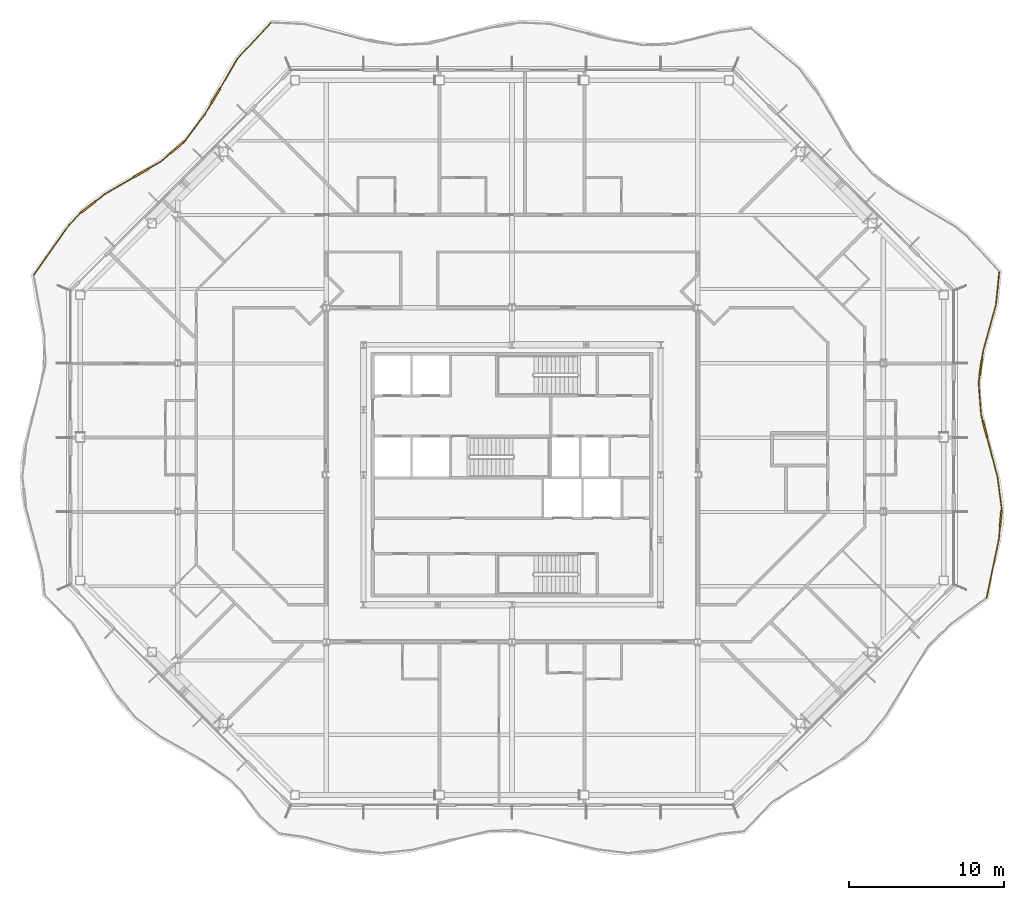
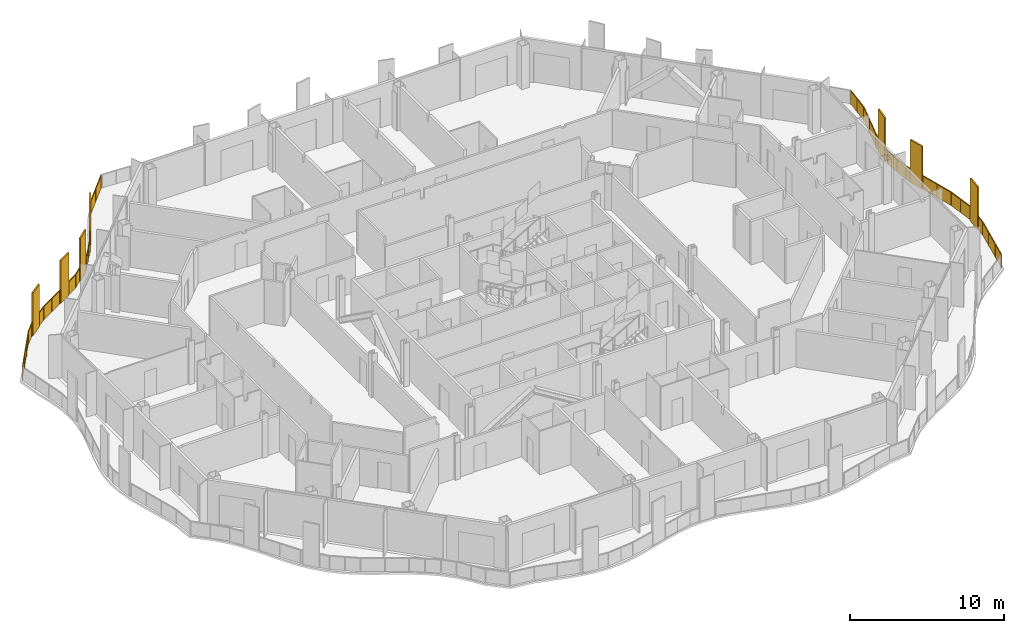
# One storey, part 19 of 21: 2 railings.
"""IFC4 building model written with IfcOpenShell, lengths in metres."""

from ifc_helpers import new_model, si_unit, direction, frame, origin, origin_2d, place, context, subcontext, project, spatial, polyline, rectangle, outline, extrude, material, type_object, element, save


model = new_model("IFC4")

# Units and contexts
model_context = context("Model", 3, precision=1e-05, world=origin(), true_north=direction((0.0, 1.0)))
body_context = subcontext(model_context, "Body", "Model", "MODEL_VIEW")
ifc_project = project(units=[si_unit("LENGTHUNIT", "METRE"), si_unit("AREAUNIT", "SQUARE_METRE"), si_unit("VOLUMEUNIT", "CUBIC_METRE"), si_unit("PLANEANGLEUNIT", "RADIAN"), si_unit("MASSUNIT", "GRAM", prefix="KILO")], contexts=[model_context])

# Site, building, storey
site_placement = place(None, origin())
site = spatial("IfcSite", under=ifc_project, at=site_placement, CompositionType="ELEMENT")
building_placement = place(site_placement, origin())
building = spatial("IfcBuilding", under=site, at=building_placement, Name="Cairn Pilgrim Tower", CompositionType="ELEMENT")
storey_placement = place(building_placement, frame((0.0, 0.0, 157.800048828125)))
storey = spatial("IfcBuildingStorey", under=building, at=storey_placement, Name="L39", CompositionType="ELEMENT", Elevation=157.800048828125)

# Railings
ifc_material = material(Name="Bronze anodised aluminium rail, posts and fin screens with laminated glass infill", Category="aluminium")
railing_type = type_object("IfcRailingType", Name="BALCONY GUARD WITH FIN SCREENS", PredefinedType="GUARDRAIL", material=ifc_material)
railing_1_placement = place(storey_placement, frame((37.873291015625, -5.544921875, 0.0)))
element("IfcRailing", 1, at=railing_1_placement, inside=storey, type_object=railing_type, Name="Balcony guard BGF-3 with fin screens", PredefinedType="GUARDRAIL", context=body_context, shape_type="SweptSolid", body=[
    extrude(rectangle(XDim=0.050048828125, YDim=0.050048828125, at=origin_2d()), frame((0.0, 0.0, 1.0751953125), z_axis=(0.205493739415, 0.97865843023, 0.0), x_axis=(-0.97865843023, 0.205493739415, 0.0)), (0.0, 0.0, 1.0), 3.88134765625),
    extrude(rectangle(XDim=1.10009765625, YDim=0.110107421875, at=origin_2d()), frame((0.911865234375, 5.096923828125, 0.0), z_axis=(0.0, 0.0, 1.0), x_axis=(0.087623499441, 0.996153664023, 0.0)), (0.0, 0.0, 1.0), 3.39990234375),
    extrude(rectangle(XDim=0.050048828125, YDim=0.050048828125, at=origin_2d()), frame((0.797607421875, 3.798583984375, 1.0751953125), z_axis=(0.087623499441, 0.996153664023, 0.0), x_axis=(-0.996153664023, 0.087623499441, 0.0)), (0.0, 0.0, 1.0), 0.75341796875),
    extrude(rectangle(XDim=0.050048828125, YDim=0.050048828125, at=origin_2d()), frame((0.9599609375, 5.644775390625, 1.0751953125), z_axis=(0.087623499441, 0.996153664023, 0.0), x_axis=(-0.996153664023, 0.087623499441, 0.0)), (0.0, 0.0, 1.0), 0.14990234375),
    extrude(rectangle(XDim=0.050048828125, YDim=0.050048828125, at=origin_2d()), frame((0.97314453125, 5.794189453125, 1.0751953125), z_axis=(-0.131837988282, 0.991271277121, 0.0), x_axis=(-0.991271277121, -0.131837988282, 0.0)), (0.0, 0.0, 1.0), 2.012939453125),
    extrude(rectangle(XDim=1.10009765625, YDim=0.110107421875, at=origin_2d()), frame((-0.104736328125, 10.876220703125, 0.0), z_axis=(0.0, 0.0, 1.0), x_axis=(-0.254545002151, 0.967060929766, 0.0)), (0.0, 0.0, 1.0), 3.39990234375),
    extrude(rectangle(XDim=0.050048828125, YDim=0.050048828125, at=origin_2d()), frame((0.707763671875, 7.78955078125, 1.0751953125), z_axis=(-0.254545002151, 0.967060929766, 0.0), x_axis=(-0.967060929766, -0.254545002151, 0.0)), (0.0, 0.0, 1.0), 2.641845703125),
    extrude(rectangle(XDim=0.050048828125, YDim=0.050048828125, at=origin_2d()), frame((-0.24462890625, 11.408203125, 1.0751953125), z_axis=(-0.254545002151, 0.967060929766, 0.0), x_axis=(-0.967060929766, -0.254545002151, 0.0)), (0.0, 0.0, 1.0), 0.44189453125),
    extrude(rectangle(XDim=0.050048828125, YDim=0.050048828125, at=origin_2d()), frame((-0.357177734375, 11.83544921875, 1.0751953125), z_axis=(-0.078556623084, 0.996909653364, 0.0), x_axis=(-0.996909653364, -0.078556623084, 0.0)), (0.0, 0.0, 1.0), 2.057373046875),
    extrude(rectangle(XDim=1.10009765625, YDim=0.110107421875, at=origin_2d()), frame((-0.375732421875, 14.89794921875, 0.0), z_axis=(0.0, 0.0, 1.0), x_axis=(0.139949661778, 0.990158619701, 0.0)), (0.0, 0.0, 1.0), 3.39990234375),
    extrude(rectangle(XDim=0.050048828125, YDim=0.050048828125, at=origin_2d()), frame((-0.518798828125, 13.886474609375, 1.0751953125), z_axis=(0.139949661778, 0.990158619701, 0.0), x_axis=(-0.990158619701, 0.139949661778, 0.0)), (0.0, 0.0, 1.0), 0.4716796875),
    extrude(rectangle(XDim=0.050048828125, YDim=0.050048828125, at=origin_2d()), frame((-0.298828125, 15.442626953125, 1.0751953125), z_axis=(0.139949661778, 0.990158619701, 0.0), x_axis=(-0.990158619701, 0.139949661778, 0.0)), (0.0, 0.0, 1.0), 0.49560546875),
    extrude(rectangle(XDim=0.050048828125, YDim=0.050048828125, at=origin_2d()), frame((-0.2294921875, 15.933349609375, 1.0751953125), z_axis=(0.266842452567, 0.963740164934, 0.0), x_axis=(-0.963740164934, 0.266842452567, 0.0)), (0.0, 0.0, 1.0), 3.142822265625),
    extrude(rectangle(XDim=0.050048828125, YDim=0.050048828125, at=origin_2d()), frame((0.609130859375, 18.962158203125, 1.0751953125), z_axis=(0.100031140901, 0.994984306836, 0.0), x_axis=(-0.994984306836, 0.100031140901, 0.0)), (0.0, 0.0, 1.0), 2.062255859375),
    extrude(rectangle(XDim=0.050048828125, YDim=0.050048828125, at=origin_2d()), origin(), (0.0, 0.0, 1.0), 1.050048828125),
    extrude(rectangle(XDim=0.050048828125, YDim=0.050048828125, at=origin_2d()), frame((0.265869140625, 1.26611328125, 0.0)), (0.0, 0.0, 1.0), 1.050048828125),
    extrude(rectangle(XDim=0.050048828125, YDim=0.050048828125, at=origin_2d()), frame((0.53173828125, 2.532470703125, 0.0)), (0.0, 0.0, 1.0), 1.050048828125),
    extrude(rectangle(XDim=0.050048828125, YDim=0.050048828125, at=origin_2d()), frame((0.797607421875, 3.798583984375, 0.0)), (0.0, 0.0, 1.0), 1.050048828125),
    extrude(rectangle(XDim=0.050048828125, YDim=0.050048828125, at=origin_2d()), frame((0.861328125, 4.524169921875, 0.0)), (0.0, 0.0, 1.0), 1.050048828125),
    extrude(rectangle(XDim=0.050048828125, YDim=0.050048828125, at=origin_2d()), frame((0.962158203125, 5.669677734375, 0.0)), (0.0, 0.0, 1.0), 1.050048828125),
    extrude(rectangle(XDim=0.050048828125, YDim=0.050048828125, at=origin_2d()), frame((0.97314453125, 5.794189453125, 0.0)), (0.0, 0.0, 1.0), 1.050048828125),
    extrude(rectangle(XDim=0.050048828125, YDim=0.050048828125, at=origin_2d()), frame((0.84033203125, 6.7919921875, 0.0)), (0.0, 0.0, 1.0), 1.050048828125),
    extrude(rectangle(XDim=0.050048828125, YDim=0.050048828125, at=origin_2d()), frame((0.707763671875, 7.78955078125, 0.0)), (0.0, 0.0, 1.0), 1.050048828125),
    extrude(rectangle(XDim=0.050048828125, YDim=0.050048828125, at=origin_2d()), frame((0.374755859375, 9.054931640625, 0.0)), (0.0, 0.0, 1.0), 1.050048828125),
    extrude(rectangle(XDim=0.050048828125, YDim=0.050048828125, at=origin_2d()), frame((0.041748046875, 10.320068359375, 0.0)), (0.0, 0.0, 1.0), 1.050048828125),
    extrude(rectangle(XDim=0.050048828125, YDim=0.050048828125, at=origin_2d()), frame((-0.2509765625, 11.432373046875, 0.0)), (0.0, 0.0, 1.0), 1.050048828125),
    extrude(rectangle(XDim=0.050048828125, YDim=0.050048828125, at=origin_2d()), frame((-0.357177734375, 11.83544921875, 0.0)), (0.0, 0.0, 1.0), 1.050048828125),
    extrude(rectangle(XDim=0.050048828125, YDim=0.050048828125, at=origin_2d()), frame((-0.43798828125, 12.86083984375, 0.0)), (0.0, 0.0, 1.0), 1.050048828125),
    extrude(rectangle(XDim=0.050048828125, YDim=0.050048828125, at=origin_2d()), frame((-0.518798828125, 13.886474609375, 0.0)), (0.0, 0.0, 1.0), 1.050048828125),
    extrude(rectangle(XDim=0.050048828125, YDim=0.050048828125, at=origin_2d()), frame((-0.456298828125, 14.32861328125, 0.0)), (0.0, 0.0, 1.0), 1.050048828125),
    extrude(rectangle(XDim=0.050048828125, YDim=0.050048828125, at=origin_2d()), frame((-0.29541015625, 15.467529296875, 0.0)), (0.0, 0.0, 1.0), 1.050048828125),
    extrude(rectangle(XDim=0.050048828125, YDim=0.050048828125, at=origin_2d()), frame((-0.2294921875, 15.933349609375, 0.0)), (0.0, 0.0, 1.0), 1.050048828125),
    extrude(rectangle(XDim=0.050048828125, YDim=0.050048828125, at=origin_2d()), frame((0.18994140625, 17.44775390625, 0.0)), (0.0, 0.0, 1.0), 1.050048828125),
    extrude(rectangle(XDim=0.050048828125, YDim=0.050048828125, at=origin_2d()), frame((0.609130859375, 18.962158203125, 0.0)), (0.0, 0.0, 1.0), 1.050048828125),
    extrude(rectangle(XDim=0.050048828125, YDim=0.050048828125, at=origin_2d()), frame((0.71240234375, 19.98828125, 0.0)), (0.0, 0.0, 1.0), 1.050048828125),
    extrude(rectangle(XDim=0.050048828125, YDim=0.050048828125, at=origin_2d()), frame((0.8154296875, 21.01416015625, 0.0)), (0.0, 0.0, 1.0), 1.050048828125),
    extrude(outline(polyline([(0.02490234375, 0.0), (1.268798828125, 0.0), (1.268798828125, 1.050048828125), (0.02490234375, 1.050048828125), (0.02490234375, 0.0)])), frame((-0.005859375, 0.001220703125, 0.0), z_axis=(0.97865843023, -0.205493739415, 0.0), x_axis=(0.205493739415, 0.97865843023, 0.0)), (0.0, 0.0, 1.0), 0.011962890625),
    extrude(outline(polyline([(0.02490234375, 0.0), (1.268798828125, 0.0), (1.268798828125, 1.050048828125), (0.02490234375, 1.050048828125), (0.02490234375, 0.0)])), frame((0.260009765625, 1.267333984375, 0.0), z_axis=(0.97865843023, -0.205493739415, 0.0), x_axis=(0.205493739415, 0.97865843023, 0.0)), (0.0, 0.0, 1.0), 0.011962890625),
    extrude(outline(polyline([(0.02490234375, 0.0), (1.268798828125, 0.0), (1.268798828125, 1.050048828125), (0.02490234375, 1.050048828125), (0.02490234375, 0.0)])), frame((0.52587890625, 2.53369140625, 0.0), z_axis=(0.97865843023, -0.205493739415, 0.0), x_axis=(0.205493739415, 0.97865843023, 0.0)), (0.0, 0.0, 1.0), 0.011962890625),
    extrude(outline(polyline([(0.02490234375, 0.0), (0.703369140625, 0.0), (0.703369140625, 1.050048828125), (0.02490234375, 1.050048828125), (0.02490234375, 0.0)])), frame((0.791748046875, 3.799072265625, 0.0), z_axis=(0.996153664023, -0.087623499441, 0.0), x_axis=(0.087623499441, 0.996153664023, 0.0)), (0.0, 0.0, 1.0), 0.011962890625),
    extrude(outline(polyline([(0.02490234375, 0.0), (0.099853515625, 0.0), (0.099853515625, 1.050048828125), (0.02490234375, 1.050048828125), (0.02490234375, 0.0)])), frame((0.956298828125, 5.670166015625, 0.0), z_axis=(0.996153664023, -0.087623499441, 0.0), x_axis=(0.087623499441, 0.996153664023, 0.0)), (0.0, 0.0, 1.0), 0.011962890625),
    extrude(outline(polyline([(0.02490234375, 0.0), (0.9814453125, 0.0), (0.9814453125, 1.050048828125), (0.02490234375, 1.050048828125), (0.02490234375, 0.0)])), frame((0.96728515625, 5.79345703125, 0.0), z_axis=(0.991271277121, 0.131837988282, 0.0), x_axis=(-0.131837988282, 0.991271277121, 0.0)), (0.0, 0.0, 1.0), 0.011962890625),
    extrude(outline(polyline([(0.02490234375, 0.0), (0.9814453125, 0.0), (0.9814453125, 1.050048828125), (0.02490234375, 1.050048828125), (0.02490234375, 0.0)])), frame((0.83447265625, 6.791015625, 0.0), z_axis=(0.991271277121, 0.131837988282, 0.0), x_axis=(-0.131837988282, 0.991271277121, 0.0)), (0.0, 0.0, 1.0), 0.011962890625),
    extrude(outline(polyline([(0.02490234375, 0.0), (1.283447265625, 0.0), (1.283447265625, 1.050048828125), (0.02490234375, 1.050048828125), (0.02490234375, 0.0)])), frame((0.701904296875, 7.7880859375, 0.0), z_axis=(0.967060929766, 0.254545002151, 0.0), x_axis=(-0.254545002151, 0.967060929766, 0.0)), (0.0, 0.0, 1.0), 0.011962890625),
    extrude(outline(polyline([(0.02490234375, 0.0), (1.283447265625, 0.0), (1.283447265625, 1.050048828125), (0.02490234375, 1.050048828125), (0.02490234375, 0.0)])), frame((0.368896484375, 9.05322265625, 0.0), z_axis=(0.967060929766, 0.254545002151, 0.0), x_axis=(-0.254545002151, 0.967060929766, 0.0)), (0.0, 0.0, 1.0), 0.011962890625),
    extrude(outline(polyline([(0.02490234375, 0.0), (0.391845703125, 0.0), (0.391845703125, 1.050048828125), (0.02490234375, 1.050048828125), (0.02490234375, 0.0)])), frame((-0.2568359375, 11.430908203125, 0.0), z_axis=(0.967060929766, 0.254545002151, 0.0), x_axis=(-0.254545002151, 0.967060929766, 0.0)), (0.0, 0.0, 1.0), 0.011962890625),
    extrude(outline(polyline([(0.02490234375, 0.0), (1.003662109375, 0.0), (1.003662109375, 1.050048828125), (0.02490234375, 1.050048828125), (0.02490234375, 0.0)])), frame((-0.363037109375, 11.8349609375, 0.0), z_axis=(0.996909653364, 0.078556623084, 0.0), x_axis=(-0.078556623084, 0.996909653364, 0.0)), (0.0, 0.0, 1.0), 0.011962890625),
    extrude(outline(polyline([(0.02490234375, 0.0), (1.003662109375, 0.0), (1.003662109375, 1.050048828125), (0.02490234375, 1.050048828125), (0.02490234375, 0.0)])), frame((-0.44384765625, 12.860595703125, 0.0), z_axis=(0.996909653364, 0.078556623084, 0.0), x_axis=(-0.078556623084, 0.996909653364, 0.0)), (0.0, 0.0, 1.0), 0.011962890625),
    extrude(outline(polyline([(0.02490234375, 0.0), (0.421630859375, 0.0), (0.421630859375, 1.050048828125), (0.02490234375, 1.050048828125), (0.02490234375, 0.0)])), frame((-0.524658203125, 13.88720703125, 0.0), z_axis=(0.990158619701, -0.139949661778, 0.0), x_axis=(0.139949661778, 0.990158619701, 0.0)), (0.0, 0.0, 1.0), 0.011962890625),
    extrude(outline(polyline([(0.02490234375, 0.0), (0.445556640625, 0.0), (0.445556640625, 1.050048828125), (0.02490234375, 1.050048828125), (0.02490234375, 0.0)])), frame((-0.30126953125, 15.46826171875, 0.0), z_axis=(0.990158619701, -0.139949661778, 0.0), x_axis=(0.139949661778, 0.990158619701, 0.0)), (0.0, 0.0, 1.0), 0.011962890625),
    extrude(outline(polyline([(0.02490234375, 0.0), (1.54638671875, 0.0), (1.54638671875, 1.050048828125), (0.02490234375, 1.050048828125), (0.02490234375, 0.0)])), frame((-0.2353515625, 15.93505859375, 0.0), z_axis=(0.963740164934, -0.266842452567, 0.0), x_axis=(0.266842452567, 0.963740164934, 0.0)), (0.0, 0.0, 1.0), 0.011962890625),
    extrude(outline(polyline([(0.02490234375, 0.0), (1.54638671875, 0.0), (1.54638671875, 1.050048828125), (0.02490234375, 1.050048828125), (0.02490234375, 0.0)])), frame((0.18408203125, 17.449462890625, 0.0), z_axis=(0.963740164934, -0.266842452567, 0.0), x_axis=(0.266842452567, 0.963740164934, 0.0)), (0.0, 0.0, 1.0), 0.011962890625),
    extrude(outline(polyline([(0.02490234375, 0.0), (1.006103515625, 0.0), (1.006103515625, 1.050048828125), (0.02490234375, 1.050048828125), (0.02490234375, 0.0)])), frame((0.603271484375, 18.962646484375, 0.0), z_axis=(0.994984306836, -0.100031140901, 0.0), x_axis=(0.100031140901, 0.994984306836, 0.0)), (0.0, 0.0, 1.0), 0.011962890625),
    extrude(outline(polyline([(0.02490234375, 0.0), (1.006103515625, 0.0), (1.006103515625, 1.050048828125), (0.02490234375, 1.050048828125), (0.02490234375, 0.0)])), frame((0.706298828125, 19.98876953125, 0.0), z_axis=(0.994984306836, -0.100031140901, 0.0), x_axis=(0.100031140901, 0.994984306836, 0.0)), (0.0, 0.0, 1.0), 0.011962890625),
])
railing_2_placement = place(storey_placement, frame((-8.374755859375, 31.634033203125, 0.0)))
element("IfcRailing", 2, at=railing_2_placement, inside=storey, type_object=railing_type, Name="Balcony guard BGF-6 with fin screens", PredefinedType="GUARDRAIL", context=body_context, shape_type="SweptSolid", body=[
    extrude(rectangle(XDim=0.050048828125, YDim=0.050048828125, at=origin_2d()), frame((0.0, 0.0, 1.0751953125), z_axis=(-0.67969336953, -0.733496369055, 0.0), x_axis=(0.733496369055, -0.67969336953, 0.0)), (0.0, 0.0, 1.0), 3.18994140625),
    extrude(rectangle(XDim=1.10009765625, YDim=0.110107421875, at=origin_2d()), frame((-3.584228515625, -4.75537109375, 0.0), z_axis=(0.0, 0.0, 1.0), x_axis=(-0.505726956222, -0.862693598997, 0.0)), (0.0, 0.0, 1.0), 3.39990234375),
    extrude(rectangle(XDim=0.050048828125, YDim=0.050048828125, at=origin_2d()), frame((-2.168212890625, -2.33984375, 1.0751953125), z_axis=(-0.505726956222, -0.862693598997, 0.0), x_axis=(0.862693598997, -0.505726956222, 0.0)), (0.0, 0.0, 1.0), 2.25),
    extrude(rectangle(XDim=0.050048828125, YDim=0.050048828125, at=origin_2d()), frame((-3.8623046875, -5.22998046875, 1.0751953125), z_axis=(-0.505726956222, -0.862693598997, 0.0), x_axis=(0.862693598997, -0.505726956222, 0.0)), (0.0, 0.0, 1.0), 0.851318359375),
    extrude(rectangle(XDim=0.050048828125, YDim=0.050048828125, at=origin_2d()), frame((-4.29296875, -5.96435546875, 1.0751953125), z_axis=(-0.598855136823, -0.800857368762, 0.0), x_axis=(0.800857368762, -0.598855136823, 0.0)), (0.0, 0.0, 1.0), 2.08251953125),
    extrude(rectangle(XDim=1.10009765625, YDim=0.110107421875, at=origin_2d()), frame((-6.07177734375, -8.087646484375, 0.0), z_axis=(0.0, 0.0, 1.0), x_axis=(-0.759372991522, -0.650655561528, 0.0)), (0.0, 0.0, 1.0), 3.39990234375),
    extrude(rectangle(XDim=0.050048828125, YDim=0.050048828125, at=origin_2d()), frame((-5.5400390625, -7.632080078125, 1.0751953125), z_axis=(-0.759372991522, -0.650655561528, 0.0), x_axis=(0.650655561528, -0.759372991522, 0.0)), (0.0, 0.0, 1.0), 0.150146484375),
    extrude(rectangle(XDim=0.050048828125, YDim=0.050048828125, at=origin_2d()), frame((-6.4892578125, -8.445556640625, 1.0751953125), z_axis=(-0.759372991522, -0.650655561528, 0.0), x_axis=(0.650655561528, -0.759372991522, 0.0)), (0.0, 0.0, 1.0), 0.822509765625),
    extrude(rectangle(XDim=1.10009765625, YDim=0.110107421875, at=origin_2d()), frame((-8.389404296875, -9.72509765625, 0.0), z_axis=(0.0, 0.0, 1.0), x_axis=(-0.863629714214, -0.504126687179, 0.0)), (0.0, 0.0, 1.0), 3.39990234375),
    extrude(rectangle(XDim=0.050048828125, YDim=0.050048828125, at=origin_2d()), frame((-7.114013671875, -8.980712890625, 1.0751953125), z_axis=(-0.863629714214, -0.504126687179, 0.0), x_axis=(0.504126687179, -0.863629714214, 0.0)), (0.0, 0.0, 1.0), 0.9267578125),
    extrude(rectangle(XDim=0.050048828125, YDim=0.050048828125, at=origin_2d()), frame((-8.864501953125, -10.00244140625, 1.0751953125), z_axis=(-0.863629714214, -0.504126687179, 0.0), x_axis=(0.504126687179, -0.863629714214, 0.0)), (0.0, 0.0, 1.0), 2.1884765625),
    extrude(rectangle(XDim=1.10009765625, YDim=0.110107421875, at=origin_2d()), frame((-11.80908203125, -11.91796875, 0.0), z_axis=(0.0, 0.0, 1.0), x_axis=(-0.792261953017, -0.610181118851, 0.0)), (0.0, 0.0, 1.0), 3.39990234375),
    extrude(rectangle(XDim=0.050048828125, YDim=0.050048828125, at=origin_2d()), frame((-10.75439453125, -11.105712890625, 1.0751953125), z_axis=(-0.792261953017, -0.610181118851, 0.0), x_axis=(0.610181118851, -0.792261953017, 0.0)), (0.0, 0.0, 1.0), 0.78125),
    extrude(rectangle(XDim=0.050048828125, YDim=0.050048828125, at=origin_2d()), frame((-12.244873046875, -12.253662109375, 1.0751953125), z_axis=(-0.792261953017, -0.610181118851, 0.0), x_axis=(0.610181118851, -0.792261953017, 0.0)), (0.0, 0.0, 1.0), 0.14990234375),
    extrude(rectangle(XDim=0.050048828125, YDim=0.050048828125, at=origin_2d()), frame((-12.36376953125, -12.34521484375, 1.0751953125), z_axis=(-0.679774306873, -0.73342136028, 0.0), x_axis=(0.73342136028, -0.679774306873, 0.0)), (0.0, 0.0, 1.0), 0.99658203125),
    extrude(rectangle(XDim=0.050048828125, YDim=0.050048828125, at=origin_2d()), frame((-13.041259765625, -13.076171875, 1.0751953125), z_axis=(-0.578940533516, -0.815369768052, 0.0), x_axis=(0.815369768052, -0.578940533516, 0.0)), (0.0, 0.0, 1.0), 3.923828125),
    extrude(rectangle(XDim=0.050048828125, YDim=0.050048828125, at=origin_2d()), origin(), (0.0, 0.0, 1.0), 1.050048828125),
    extrude(rectangle(XDim=0.050048828125, YDim=0.050048828125, at=origin_2d()), frame((-1.083984375, -1.169921875, 0.0)), (0.0, 0.0, 1.0), 1.050048828125),
    extrude(rectangle(XDim=0.050048828125, YDim=0.050048828125, at=origin_2d()), frame((-2.168212890625, -2.33984375, 0.0)), (0.0, 0.0, 1.0), 1.050048828125),
    extrude(rectangle(XDim=0.050048828125, YDim=0.050048828125, at=origin_2d()), frame((-2.730712890625, -3.299560546875, 0.0)), (0.0, 0.0, 1.0), 1.050048828125),
    extrude(rectangle(XDim=0.050048828125, YDim=0.050048828125, at=origin_2d()), frame((-3.29345703125, -4.25927734375, 0.0)), (0.0, 0.0, 1.0), 1.050048828125),
    extrude(rectangle(XDim=0.050048828125, YDim=0.050048828125, at=origin_2d()), frame((-3.875, -5.25146484375, 0.0)), (0.0, 0.0, 1.0), 1.050048828125),
    extrude(rectangle(XDim=0.050048828125, YDim=0.050048828125, at=origin_2d()), frame((-4.29296875, -5.96435546875, 0.0)), (0.0, 0.0, 1.0), 1.050048828125),
    extrude(rectangle(XDim=0.050048828125, YDim=0.050048828125, at=origin_2d()), frame((-4.91650390625, -6.79833984375, 0.0)), (0.0, 0.0, 1.0), 1.050048828125),
    extrude(rectangle(XDim=0.050048828125, YDim=0.050048828125, at=origin_2d()), frame((-5.5400390625, -7.632080078125, 0.0)), (0.0, 0.0, 1.0), 1.050048828125),
    extrude(rectangle(XDim=0.050048828125, YDim=0.050048828125, at=origin_2d()), frame((-5.635009765625, -7.71337890625, 0.0)), (0.0, 0.0, 1.0), 1.050048828125),
    extrude(rectangle(XDim=0.050048828125, YDim=0.050048828125, at=origin_2d()), frame((-6.50830078125, -8.461669921875, 0.0)), (0.0, 0.0, 1.0), 1.050048828125),
    extrude(rectangle(XDim=0.050048828125, YDim=0.050048828125, at=origin_2d()), frame((-7.114013671875, -8.980712890625, 0.0)), (0.0, 0.0, 1.0), 1.050048828125),
    extrude(rectangle(XDim=0.050048828125, YDim=0.050048828125, at=origin_2d()), frame((-7.892822265625, -9.435302734375, 0.0)), (0.0, 0.0, 1.0), 1.050048828125),
    extrude(rectangle(XDim=0.050048828125, YDim=0.050048828125, at=origin_2d()), frame((-8.885986328125, -10.01513671875, 0.0)), (0.0, 0.0, 1.0), 1.050048828125),
    extrude(rectangle(XDim=0.050048828125, YDim=0.050048828125, at=origin_2d()), frame((-9.8203125, -10.560302734375, 0.0)), (0.0, 0.0, 1.0), 1.050048828125),
    extrude(rectangle(XDim=0.050048828125, YDim=0.050048828125, at=origin_2d()), frame((-10.75439453125, -11.105712890625, 0.0)), (0.0, 0.0, 1.0), 1.050048828125),
    extrude(rectangle(XDim=0.050048828125, YDim=0.050048828125, at=origin_2d()), frame((-11.353515625, -11.567138671875, 0.0)), (0.0, 0.0, 1.0), 1.050048828125),
    extrude(rectangle(XDim=0.050048828125, YDim=0.050048828125, at=origin_2d()), frame((-12.2646484375, -12.26904296875, 0.0)), (0.0, 0.0, 1.0), 1.050048828125),
    extrude(rectangle(XDim=0.050048828125, YDim=0.050048828125, at=origin_2d()), frame((-12.36376953125, -12.34521484375, 0.0)), (0.0, 0.0, 1.0), 1.050048828125),
    extrude(rectangle(XDim=0.050048828125, YDim=0.050048828125, at=origin_2d()), frame((-13.041259765625, -13.076171875, 0.0)), (0.0, 0.0, 1.0), 1.050048828125),
    extrude(rectangle(XDim=0.050048828125, YDim=0.050048828125, at=origin_2d()), frame((-13.798583984375, -14.142578125, 0.0)), (0.0, 0.0, 1.0), 1.050048828125),
    extrude(rectangle(XDim=0.050048828125, YDim=0.050048828125, at=origin_2d()), frame((-14.5556640625, -15.209228515625, 0.0)), (0.0, 0.0, 1.0), 1.050048828125),
    extrude(rectangle(XDim=0.050048828125, YDim=0.050048828125, at=origin_2d()), frame((-15.31298828125, -16.275634765625, 0.0)), (0.0, 0.0, 1.0), 1.050048828125),
    extrude(outline(polyline([(0.02490234375, 0.0), (1.570068359375, 0.0), (1.570068359375, 1.050048828125), (0.02490234375, 1.050048828125), (0.02490234375, 0.0)])), frame((0.00439453125, -0.004150390625, 0.0), z_axis=(-0.733496369055, 0.67969336953, 0.0), x_axis=(-0.67969336953, -0.733496369055, 0.0)), (0.0, 0.0, 1.0), 0.011962890625),
    extrude(outline(polyline([(0.02490234375, 0.0), (1.570068359375, 0.0), (1.570068359375, 1.050048828125), (0.02490234375, 1.050048828125), (0.02490234375, 0.0)])), frame((-1.079833984375, -1.174072265625, 0.0), z_axis=(-0.733496369055, 0.67969336953, 0.0), x_axis=(-0.67969336953, -0.733496369055, 0.0)), (0.0, 0.0, 1.0), 0.011962890625),
    extrude(outline(polyline([(0.02490234375, 0.0), (1.08740234375, 0.0), (1.08740234375, 1.050048828125), (0.02490234375, 1.050048828125), (0.02490234375, 0.0)])), frame((-2.1630859375, -2.3427734375, 0.0), z_axis=(-0.862693598997, 0.505726956222, 0.0), x_axis=(-0.505726956222, -0.862693598997, 0.0)), (0.0, 0.0, 1.0), 0.011962890625),
    extrude(outline(polyline([(0.02490234375, 0.0), (1.08740234375, 0.0), (1.08740234375, 1.050048828125), (0.02490234375, 1.050048828125), (0.02490234375, 0.0)])), frame((-2.7255859375, -3.302490234375, 0.0), z_axis=(-0.862693598997, 0.505726956222, 0.0), x_axis=(-0.505726956222, -0.862693598997, 0.0)), (0.0, 0.0, 1.0), 0.011962890625),
    extrude(outline(polyline([(0.02490234375, 0.0), (0.80126953125, 0.0), (0.80126953125, 1.050048828125), (0.02490234375, 1.050048828125), (0.02490234375, 0.0)])), frame((-3.869873046875, -5.25439453125, 0.0), z_axis=(-0.862693598997, 0.505726956222, 0.0), x_axis=(-0.505726956222, -0.862693598997, 0.0)), (0.0, 0.0, 1.0), 0.011962890625),
    extrude(outline(polyline([(0.02490234375, 0.0), (1.01611328125, 0.0), (1.01611328125, 1.050048828125), (0.02490234375, 1.050048828125), (0.02490234375, 0.0)])), frame((-4.2880859375, -5.968017578125, 0.0), z_axis=(-0.800857368762, 0.598855136823, 0.0), x_axis=(-0.598855136823, -0.800857368762, 0.0)), (0.0, 0.0, 1.0), 0.011962890625),
    extrude(outline(polyline([(0.02490234375, 0.0), (1.01611328125, 0.0), (1.01611328125, 1.050048828125), (0.02490234375, 1.050048828125), (0.02490234375, 0.0)])), frame((-4.91162109375, -6.8017578125, 0.0), z_axis=(-0.800857368762, 0.598855136823, 0.0), x_axis=(-0.598855136823, -0.800857368762, 0.0)), (0.0, 0.0, 1.0), 0.011962890625),
    extrude(outline(polyline([(0.02490234375, 0.0), (0.10009765625, 0.0), (0.10009765625, 1.050048828125), (0.02490234375, 1.050048828125), (0.02490234375, 0.0)])), frame((-5.5361328125, -7.63671875, 0.0), z_axis=(-0.650655561528, 0.759372991522, 0.0), x_axis=(-0.759372991522, -0.650655561528, 0.0)), (0.0, 0.0, 1.0), 0.011962890625),
    extrude(outline(polyline([(0.02490234375, 0.0), (0.7724609375, 0.0), (0.7724609375, 1.050048828125), (0.02490234375, 1.050048828125), (0.02490234375, 0.0)])), frame((-6.50439453125, -8.46630859375, 0.0), z_axis=(-0.650655561528, 0.759372991522, 0.0), x_axis=(-0.759372991522, -0.650655561528, 0.0)), (0.0, 0.0, 1.0), 0.011962890625),
    extrude(outline(polyline([(0.02490234375, 0.0), (0.876708984375, 0.0), (0.876708984375, 1.050048828125), (0.02490234375, 1.050048828125), (0.02490234375, 0.0)])), frame((-7.111083984375, -8.98583984375, 0.0), z_axis=(-0.504126687179, 0.863629714214, 0.0), x_axis=(-0.863629714214, -0.504126687179, 0.0)), (0.0, 0.0, 1.0), 0.011962890625),
    extrude(outline(polyline([(0.02490234375, 0.0), (1.056640625, 0.0), (1.056640625, 1.050048828125), (0.02490234375, 1.050048828125), (0.02490234375, 0.0)])), frame((-8.883056640625, -10.020263671875, 0.0), z_axis=(-0.504126687179, 0.863629714214, 0.0), x_axis=(-0.863629714214, -0.504126687179, 0.0)), (0.0, 0.0, 1.0), 0.011962890625),
    extrude(outline(polyline([(0.02490234375, 0.0), (1.056640625, 0.0), (1.056640625, 1.050048828125), (0.02490234375, 1.050048828125), (0.02490234375, 0.0)])), frame((-9.817138671875, -10.565673828125, 0.0), z_axis=(-0.504126687179, 0.863629714214, 0.0), x_axis=(-0.863629714214, -0.504126687179, 0.0)), (0.0, 0.0, 1.0), 0.011962890625),
    extrude(outline(polyline([(0.02490234375, 0.0), (0.731201171875, 0.0), (0.731201171875, 1.050048828125), (0.02490234375, 1.050048828125), (0.02490234375, 0.0)])), frame((-10.750732421875, -11.1103515625, 0.0), z_axis=(-0.610181118851, 0.792261953017, 0.0), x_axis=(-0.792261953017, -0.610181118851, 0.0)), (0.0, 0.0, 1.0), 0.011962890625),
    extrude(outline(polyline([(0.02490234375, 0.0), (0.099853515625, 0.0), (0.099853515625, 1.050048828125), (0.02490234375, 1.050048828125), (0.02490234375, 0.0)])), frame((-12.260986328125, -12.273681640625, 0.0), z_axis=(-0.610181118851, 0.792261953017, 0.0), x_axis=(-0.792261953017, -0.610181118851, 0.0)), (0.0, 0.0, 1.0), 0.011962890625),
    extrude(outline(polyline([(0.02490234375, 0.0), (0.9716796875, 0.0), (0.9716796875, 1.050048828125), (0.02490234375, 1.050048828125), (0.02490234375, 0.0)])), frame((-12.359375, -12.349365234375, 0.0), z_axis=(-0.73342136028, 0.679774306873, 0.0), x_axis=(-0.679774306873, -0.73342136028, 0.0)), (0.0, 0.0, 1.0), 0.011962890625),
    extrude(outline(polyline([(0.02490234375, 0.0), (1.282958984375, 0.0), (1.282958984375, 1.050048828125), (0.02490234375, 1.050048828125), (0.02490234375, 0.0)])), frame((-13.036376953125, -13.07958984375, 0.0), z_axis=(-0.815369768052, 0.578940533516, 0.0), x_axis=(-0.578940533516, -0.815369768052, 0.0)), (0.0, 0.0, 1.0), 0.011962890625),
    extrude(outline(polyline([(0.02490234375, 0.0), (1.282958984375, 0.0), (1.282958984375, 1.050048828125), (0.02490234375, 1.050048828125), (0.02490234375, 0.0)])), frame((-13.793701171875, -14.146240234375, 0.0), z_axis=(-0.815369768052, 0.578940533516, 0.0), x_axis=(-0.578940533516, -0.815369768052, 0.0)), (0.0, 0.0, 1.0), 0.011962890625),
    extrude(outline(polyline([(0.02490234375, 0.0), (1.282958984375, 0.0), (1.282958984375, 1.050048828125), (0.02490234375, 1.050048828125), (0.02490234375, 0.0)])), frame((-14.55078125, -15.212646484375, 0.0), z_axis=(-0.815369768052, 0.578940533516, 0.0), x_axis=(-0.578940533516, -0.815369768052, 0.0)), (0.0, 0.0, 1.0), 0.011962890625),
])

save(model, "model.ifc")
